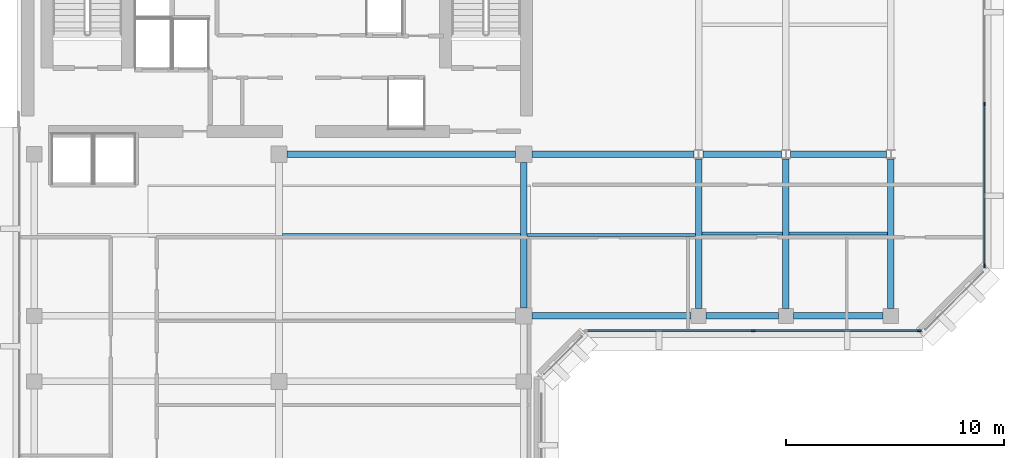
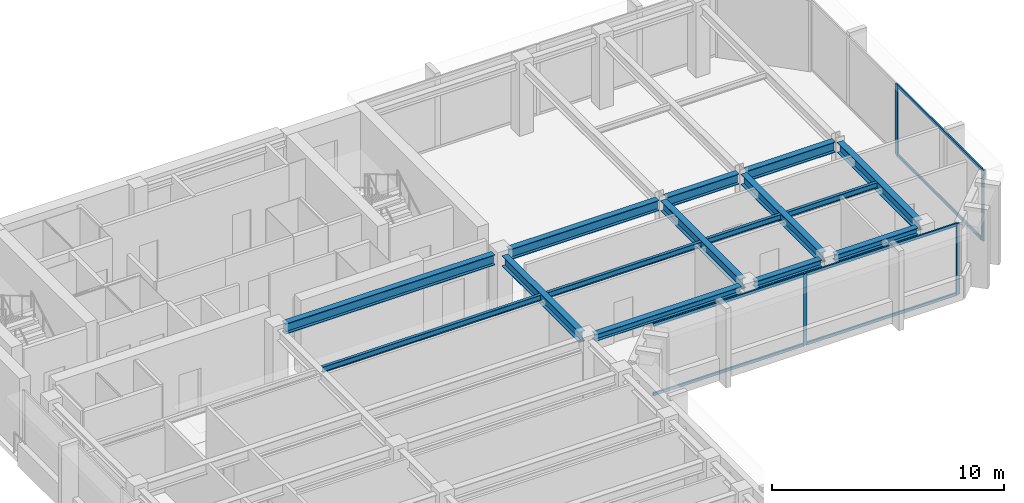
# One storey, part 3 of 11: 15 beams, 10 members, 2 elements without a shape of their own.
"""IFC4 building model written with IfcOpenShell, lengths in metres."""

from ifc_helpers import new_model, si_unit, direction, frame, origin, origin_2d, place, context, subcontext, project, spatial, rectangle, i_section, extrude, material, layer, layer_set, material_profile, profile_set, type_object, element, aggregate, save


model = new_model("IFC4")

# Units and contexts
model_context = context("Model", 3, precision=1e-05, world=origin(), true_north=direction((0.0, 1.0)))
body_context = subcontext(model_context, "Body", "Model", "MODEL_VIEW")
ifc_project = project(units=[si_unit("LENGTHUNIT", "METRE"), si_unit("AREAUNIT", "SQUARE_METRE"), si_unit("VOLUMEUNIT", "CUBIC_METRE"), si_unit("PLANEANGLEUNIT", "RADIAN"), si_unit("MASSUNIT", "GRAM", prefix="KILO")], contexts=[model_context])

# Site, building, storey
site_placement = place(None, origin())
site = spatial("IfcSite", under=ifc_project, at=site_placement, CompositionType="ELEMENT")
building_placement = place(site_placement, origin())
building = spatial("IfcBuilding", under=site, at=building_placement, Name="Kefirva Bronze Tower", CompositionType="ELEMENT")
storey_placement = place(building_placement, frame((0.0, 0.0, 331.64990234375)))
storey = spatial("IfcBuildingStorey", under=building, at=storey_placement, Name="L81", CompositionType="ELEMENT", Elevation=331.64990234375)

# Curtain wall, members
ifc_material_1 = material(Name="Bronze anodised aluminium", Category="aluminium")
ifc_layer = layer(ifc_material_1, 0.179931640625, Name="Bronze anodised aluminium")
ifc_layer_set = layer_set([ifc_layer], Name="Bronze anodised aluminium")
curtain_wall_type = type_object("IfcCurtainWallType", Name="Unitised Bronze Ribbon Curtain Wall Zone 4", PredefinedType="USERDEFINED", material=ifc_layer_set)
curtain_wall_1_placement = place(storey_placement, origin())
curtain_wall_1 = element("IfcCurtainWall", 1, at=curtain_wall_1_placement, inside=storey, type_object=curtain_wall_type, Name="L81 Curtain Wall 2", ObjectType="UNITISED CURTAIN WALL", PredefinedType="USERDEFINED")
ifc_material_profile_1 = material_profile(ifc_material_1, rectangle(XDim=0.074951171875, YDim=0.179931640625, at=origin_2d()), Name="ALU 75x180")
ifc_profile_set_1 = profile_set([ifc_material_profile_1], Name="Bronze anodised aluminium")
member_type_1 = type_object("IfcMemberType", Name="Bronze Mullion 75x180", PredefinedType="MULLION", material=ifc_profile_set_1)
member_1_placement = place(storey_placement, frame((33.699951171875, 25.1201171875, 0.0), z_axis=(0.0, 0.0, 1.0), x_axis=(0.0, 1.0, 0.0)))
member_1 = element("IfcMember", 2, at=member_1_placement, type_object=member_type_1, Name="CW-04 mullion 2", PredefinedType="MULLION", context=body_context, shape_type="SweptSolid", body=[
    extrude(rectangle(XDim=0.074951171875, YDim=0.179931640625, at=origin_2d()), origin(), (0.0, 0.0, 1.0), 3.739990234375),
])
member_2_placement = place(storey_placement, frame((41.3076171875, 25.1201171875, 0.0), z_axis=(0.0, 0.0, 1.0), x_axis=(0.0, 1.0, 0.0)))
member_2 = element("IfcMember", 3, at=member_2_placement, type_object=member_type_1, Name="CW-04 mullion 3", PredefinedType="MULLION", context=body_context, shape_type="SweptSolid", body=[
    extrude(rectangle(XDim=0.074951171875, YDim=0.179931640625, at=origin_2d()), origin(), (0.0, 0.0, 1.0), 3.739990234375),
])

curtain_wall_2_placement = place(storey_placement, origin())
curtain_wall_2 = element("IfcCurtainWall", 4, at=curtain_wall_2_placement, inside=storey, type_object=curtain_wall_type, Name="L81 Curtain Wall 3", ObjectType="UNITISED CURTAIN WALL", PredefinedType="USERDEFINED")
member_3_placement = place(storey_placement, frame((44.280029296875, 28.092529296875, 0.0), z_axis=(0.0, 0.0, 1.0), x_axis=(-1.0, 0.0, 0.0)))
member_3 = element("IfcMember", 5, at=member_3_placement, type_object=member_type_1, Name="CW-04 mullion 1", PredefinedType="MULLION", context=body_context, shape_type="SweptSolid", body=[
    extrude(rectangle(XDim=0.074951171875, YDim=0.179931640625, at=origin_2d()), origin(), (0.0, 0.0, 1.0), 3.739990234375),
])
member_4_placement = place(storey_placement, frame((44.280029296875, 35.5, 0.0), z_axis=(0.0, 0.0, 1.0), x_axis=(-1.0, 0.0, 0.0)))
member_4 = element("IfcMember", 6, at=member_4_placement, type_object=member_type_1, Name="CW-04 mullion 2", PredefinedType="MULLION", context=body_context, shape_type="SweptSolid", body=[
    extrude(rectangle(XDim=0.074951171875, YDim=0.179931640625, at=origin_2d()), origin(), (0.0, 0.0, 1.0), 3.739990234375),
])

# Member
ifc_material_profile_2 = material_profile(ifc_material_1, rectangle(XDim=0.074951171875, YDim=0.14990234375, at=origin_2d()), Name="ALU 75x150")
ifc_profile_set_2 = profile_set([ifc_material_profile_2], Name="Bronze anodised aluminium")
member_type_2 = type_object("IfcMemberType", Name="Bronze Transom 75x150", PredefinedType="USERDEFINED", material=ifc_profile_set_2)
member_5_placement = place(storey_placement, frame((26.1298828125, 25.1201171875, 0.03759765625), z_axis=(1.0, 0.0, 0.0), x_axis=(0.0, 1.0, 0.0)))
member_5 = element("IfcMember", 7, at=member_5_placement, type_object=member_type_2, Name="CW-04 transom 1.1", ObjectType="TRANSOM", PredefinedType="USERDEFINED", context=body_context, shape_type="SweptSolid", body=[
    extrude(rectangle(XDim=0.074951171875, YDim=0.14990234375, at=origin_2d()), origin(), (0.0, 0.0, 1.0), 7.53271484375),
])

member_6_placement = place(storey_placement, frame((26.1298828125, 25.1201171875, 3.70263671875), z_axis=(1.0, 0.0, 0.0), x_axis=(0.0, 1.0, 0.0)))
member_6 = element("IfcMember", 8, at=member_6_placement, type_object=member_type_2, Name="CW-04 transom 1.2", ObjectType="TRANSOM", PredefinedType="USERDEFINED", context=body_context, shape_type="SweptSolid", body=[
    extrude(rectangle(XDim=0.074951171875, YDim=0.14990234375, at=origin_2d()), origin(), (0.0, 0.0, 1.0), 7.53271484375),
])

member_7_placement = place(storey_placement, frame((33.737548828125, 25.1201171875, 0.03759765625), z_axis=(1.0, 0.0, 0.0), x_axis=(0.0, 1.0, 0.0)))
member_7 = element("IfcMember", 9, at=member_7_placement, type_object=member_type_2, Name="CW-04 transom 2.1", ObjectType="TRANSOM", PredefinedType="USERDEFINED", context=body_context, shape_type="SweptSolid", body=[
    extrude(rectangle(XDim=0.074951171875, YDim=0.14990234375, at=origin_2d()), origin(), (0.0, 0.0, 1.0), 7.532470703125),
])

member_8_placement = place(storey_placement, frame((33.737548828125, 25.1201171875, 3.70263671875), z_axis=(1.0, 0.0, 0.0), x_axis=(0.0, 1.0, 0.0)))
member_8 = element("IfcMember", 10, at=member_8_placement, type_object=member_type_2, Name="CW-04 transom 2.2", ObjectType="TRANSOM", PredefinedType="USERDEFINED", context=body_context, shape_type="SweptSolid", body=[
    extrude(rectangle(XDim=0.074951171875, YDim=0.14990234375, at=origin_2d()), origin(), (0.0, 0.0, 1.0), 7.532470703125),
])

aggregate(curtain_wall_1, [member_1, member_2, member_5, member_6, member_7, member_8])

member_9_placement = place(storey_placement, frame((44.280029296875, 28.1298828125, 0.03759765625), z_axis=(0.0, 1.0, 0.0), x_axis=(-1.0, 0.0, 0.0)))
member_9 = element("IfcMember", 11, at=member_9_placement, type_object=member_type_2, Name="CW-04 transom 1.1", ObjectType="TRANSOM", PredefinedType="USERDEFINED", context=body_context, shape_type="SweptSolid", body=[
    extrude(rectangle(XDim=0.074951171875, YDim=0.14990234375, at=origin_2d()), origin(), (0.0, 0.0, 1.0), 7.33251953125),
])

member_10_placement = place(storey_placement, frame((44.280029296875, 28.1298828125, 3.70263671875), z_axis=(0.0, 1.0, 0.0), x_axis=(-1.0, 0.0, 0.0)))
member_10 = element("IfcMember", 12, at=member_10_placement, type_object=member_type_2, Name="CW-04 transom 1.2", ObjectType="TRANSOM", PredefinedType="USERDEFINED", context=body_context, shape_type="SweptSolid", body=[
    extrude(rectangle(XDim=0.074951171875, YDim=0.14990234375, at=origin_2d()), origin(), (0.0, 0.0, 1.0), 7.33251953125),
])

aggregate(curtain_wall_2, [member_3, member_4, member_9, member_10])

# Beams
ifc_material_2 = material(Name="Steel S355", Category="steel")
ifc_material_profile_3 = material_profile(ifc_material_2, i_section(OverallWidth=0.14990234375, OverallDepth=0.300048828125, WebThickness=0.007080078125, FlangeThickness=0.0107421875, at=origin_2d()), Name="IPE 300")
ifc_profile_set_3 = profile_set([ifc_material_profile_3], Name="Steel S355")
beam_type_1 = type_object("IfcBeamType", Name="Steel Floor Joist IPE 300", PredefinedType="JOIST", material=ifc_profile_set_3)
beam_1_placement = place(storey_placement, frame((12.14990234375, 29.5, 3.590087890625), z_axis=(1.0, 0.0, 0.0), x_axis=(0.0, 1.0, 0.0)))
element("IfcBeam", 13, at=beam_1_placement, inside=storey, type_object=beam_type_1, Name="L81 JST-L81-12-295", PredefinedType="JOIST", context=body_context, shape_type="SweptSolid", body=[
    extrude(i_section(OverallWidth=0.14990234375, OverallDepth=0.300048828125, WebThickness=0.007080078125, FlangeThickness=0.0107421875, at=origin_2d()), origin(), (0.0, 0.0, 1.0), 10.900146484375),
])
beam_2_placement = place(storey_placement, frame((23.35009765625, 29.5, 3.590087890625), z_axis=(1.0, 0.0, 0.0), x_axis=(0.0, 1.0, 0.0)))
element("IfcBeam", 14, at=beam_2_placement, inside=storey, type_object=beam_type_1, Name="L81 JST-L81-23-295", PredefinedType="JOIST", context=body_context, shape_type="SweptSolid", body=[
    extrude(i_section(OverallWidth=0.14990234375, OverallDepth=0.300048828125, WebThickness=0.007080078125, FlangeThickness=0.0107421875, at=origin_2d()), origin(), (0.0, 0.0, 1.0), 7.699951171875),
])
beam_3_placement = place(storey_placement, frame((31.35009765625, 29.571044921875, 3.590087890625), z_axis=(1.0, 0.0, 0.0), x_axis=(0.0, 1.0, 0.0)))
element("IfcBeam", 15, at=beam_3_placement, inside=storey, type_object=beam_type_1, Name="L81 JST-L81-31-295", PredefinedType="JOIST", context=body_context, shape_type="SweptSolid", body=[
    extrude(i_section(OverallWidth=0.14990234375, OverallDepth=0.300048828125, WebThickness=0.007080078125, FlangeThickness=0.0107421875, at=origin_2d()), origin(), (0.0, 0.0, 1.0), 3.699951171875),
])
beam_4_placement = place(storey_placement, frame((35.35009765625, 29.571044921875, 3.590087890625), z_axis=(1.0, 0.0, 0.0), x_axis=(0.0, 1.0, 0.0)))
element("IfcBeam", 16, at=beam_4_placement, inside=storey, type_object=beam_type_1, Name="L81 JST-L81-35-295", PredefinedType="JOIST", context=body_context, shape_type="SweptSolid", body=[
    extrude(i_section(OverallWidth=0.14990234375, OverallDepth=0.300048828125, WebThickness=0.007080078125, FlangeThickness=0.0107421875, at=origin_2d()), origin(), (0.0, 0.0, 1.0), 4.5),
])
ifc_material_profile_4 = material_profile(ifc_material_2, i_section(OverallWidth=0.300048828125, OverallDepth=0.550048828125, WebThickness=0.014892578125, FlangeThickness=0.029052734375, at=origin_2d()), Name="HEB 550")
ifc_profile_set_4 = profile_set([ifc_material_profile_4], Name="Steel S355")
beam_type_2 = type_object("IfcBeamType", Name="Steel Girder HEB 550", PredefinedType="USERDEFINED", material=ifc_profile_set_4)
beam_5_placement = place(storey_placement, frame((12.3701171875, 33.199951171875, 3.465087890625), z_axis=(1.0, 0.0, 0.0), x_axis=(0.0, 1.0, 0.0)))
element("IfcBeam", 17, at=beam_5_placement, inside=storey, type_object=beam_type_2, Name="L81 BM-L81-EW-12-332", ObjectType="GIRDER", PredefinedType="USERDEFINED", context=body_context, shape_type="SweptSolid", body=[
    extrude(i_section(OverallWidth=0.300048828125, OverallDepth=0.550048828125, WebThickness=0.014892578125, FlangeThickness=0.029052734375, at=origin_2d()), origin(), (0.0, 0.0, 1.0), 10.4599609375),
])
beam_6_placement = place(storey_placement, frame((23.570068359375, 33.199951171875, 3.465087890625), z_axis=(1.0, 0.0, 0.0), x_axis=(0.0, 1.0, 0.0)))
element("IfcBeam", 18, at=beam_6_placement, inside=storey, type_object=beam_type_2, Name="L81 BM-L81-EW-23-332", ObjectType="GIRDER", PredefinedType="USERDEFINED", context=body_context, shape_type="SweptSolid", body=[
    extrude(i_section(OverallWidth=0.300048828125, OverallDepth=0.550048828125, WebThickness=0.014892578125, FlangeThickness=0.029052734375, at=origin_2d()), origin(), (0.0, 0.0, 1.0), 7.427001953125),
])
beam_7_placement = place(storey_placement, frame((31.403076171875, 33.199951171875, 3.465087890625), z_axis=(1.0, 0.0, 0.0), x_axis=(0.0, 1.0, 0.0)))
element("IfcBeam", 19, at=beam_7_placement, inside=storey, type_object=beam_type_2, Name="L81 BM-L81-EW-31-332", ObjectType="GIRDER", PredefinedType="USERDEFINED", context=body_context, shape_type="SweptSolid", body=[
    extrude(i_section(OverallWidth=0.300048828125, OverallDepth=0.550048828125, WebThickness=0.014892578125, FlangeThickness=0.029052734375, at=origin_2d()), origin(), (0.0, 0.0, 1.0), 3.593994140625),
])
beam_8_placement = place(storey_placement, frame((35.403076171875, 33.199951171875, 3.465087890625), z_axis=(1.0, 0.0, 0.0), x_axis=(0.0, 1.0, 0.0)))
element("IfcBeam", 20, at=beam_8_placement, inside=storey, type_object=beam_type_2, Name="L81 BM-L81-EW-35-332", ObjectType="GIRDER", PredefinedType="USERDEFINED", context=body_context, shape_type="SweptSolid", body=[
    extrude(i_section(OverallWidth=0.300048828125, OverallDepth=0.550048828125, WebThickness=0.014892578125, FlangeThickness=0.029052734375, at=origin_2d()), origin(), (0.0, 0.0, 1.0), 4.39404296875),
])
beam_9_placement = place(storey_placement, frame((23.199951171875, 26.169921875, 3.465087890625), z_axis=(0.0, 1.0, 0.0), x_axis=(-1.0, 0.0, 0.0)))
element("IfcBeam", 21, at=beam_9_placement, inside=storey, type_object=beam_type_2, Name="L81 BM-L81-NS-232-25", ObjectType="GIRDER", PredefinedType="USERDEFINED", context=body_context, shape_type="SweptSolid", body=[
    extrude(i_section(OverallWidth=0.300048828125, OverallDepth=0.550048828125, WebThickness=0.014892578125, FlangeThickness=0.029052734375, at=origin_2d()), origin(), (0.0, 0.0, 1.0), 6.66015625),
])
for number, where, z_axis, x_axis, name in (
    (22, (31.199951171875, 26.14990234375, 3.465087890625), (0.0, 1.0, 0.0), (-1.0, 0.0, 0.0), "L81 BM-L81-NS-312-25"),
    (23, (35.199951171875, 26.14990234375, 3.465087890625), (0.0, 1.0, 0.0), (-1.0, 0.0, 0.0), "L81 BM-L81-NS-352-25"),
    (24, (40.0, 26.14990234375, 3.465087890625), (0.0, 1.0, 0.0), (-1.0, 0.0, 0.0), "L81 BM-L81-NS-400-25"),
):
    element("IfcBeam", number, at=place(storey_placement, frame(where, z_axis=z_axis, x_axis=x_axis)), inside=storey, type_object=beam_type_2, Name=name, ObjectType="GIRDER", PredefinedType="USERDEFINED", context=body_context, shape_type="SweptSolid", body=[
        extrude(i_section(OverallWidth=0.300048828125, OverallDepth=0.550048828125, WebThickness=0.014892578125, FlangeThickness=0.029052734375, at=origin_2d()), origin(), (0.0, 0.0, 1.0), 6.842041015625),
    ])
ifc_material_profile_5 = material_profile(ifc_material_2, i_section(OverallWidth=0.300048828125, OverallDepth=0.360107421875, WebThickness=0.012451171875, FlangeThickness=0.0224609375, at=origin_2d()), Name="HEB 360")
ifc_profile_set_5 = profile_set([ifc_material_profile_5], Name="Steel S355")
beam_type_3 = type_object("IfcBeamType", Name="Steel Spandrel HEB 360 Ext", PredefinedType="SPANDREL", material=ifc_profile_set_5)
beam_10_placement = place(storey_placement, frame((23.570068359375, 25.800048828125, 3.56005859375), z_axis=(1.0, 0.0, 0.0), x_axis=(0.0, 1.0, 0.0)))
element("IfcBeam", 25, at=beam_10_placement, inside=storey, type_object=beam_type_3, Name="L81 BM-L81-EW-23-258", PredefinedType="SPANDREL", context=body_context, shape_type="SweptSolid", body=[
    extrude(i_section(OverallWidth=0.300048828125, OverallDepth=0.360107421875, WebThickness=0.012451171875, FlangeThickness=0.0224609375, at=origin_2d()), origin(), (0.0, 0.0, 1.0), 7.280029296875),
])
beam_11_placement = place(storey_placement, frame((31.550048828125, 25.800048828125, 3.56005859375), z_axis=(1.0, 0.0, 0.0), x_axis=(0.0, 1.0, 0.0)))
element("IfcBeam", 26, at=beam_11_placement, inside=storey, type_object=beam_type_3, Name="L81 BM-L81-EW-31-258", PredefinedType="SPANDREL", context=body_context, shape_type="SweptSolid", body=[
    extrude(i_section(OverallWidth=0.300048828125, OverallDepth=0.360107421875, WebThickness=0.012451171875, FlangeThickness=0.0224609375, at=origin_2d()), origin(), (0.0, 0.0, 1.0), 3.300048828125),
])
beam_12_placement = place(storey_placement, frame((35.550048828125, 25.800048828125, 3.56005859375), z_axis=(1.0, 0.0, 0.0), x_axis=(0.0, 1.0, 0.0)))
element("IfcBeam", 27, at=beam_12_placement, inside=storey, type_object=beam_type_3, Name="L81 BM-L81-EW-35-258", PredefinedType="SPANDREL", context=body_context, shape_type="SweptSolid", body=[
    extrude(i_section(OverallWidth=0.300048828125, OverallDepth=0.360107421875, WebThickness=0.012451171875, FlangeThickness=0.0224609375, at=origin_2d()), origin(), (0.0, 0.0, 1.0), 4.099853515625),
])

save(model, "model.ifc")
